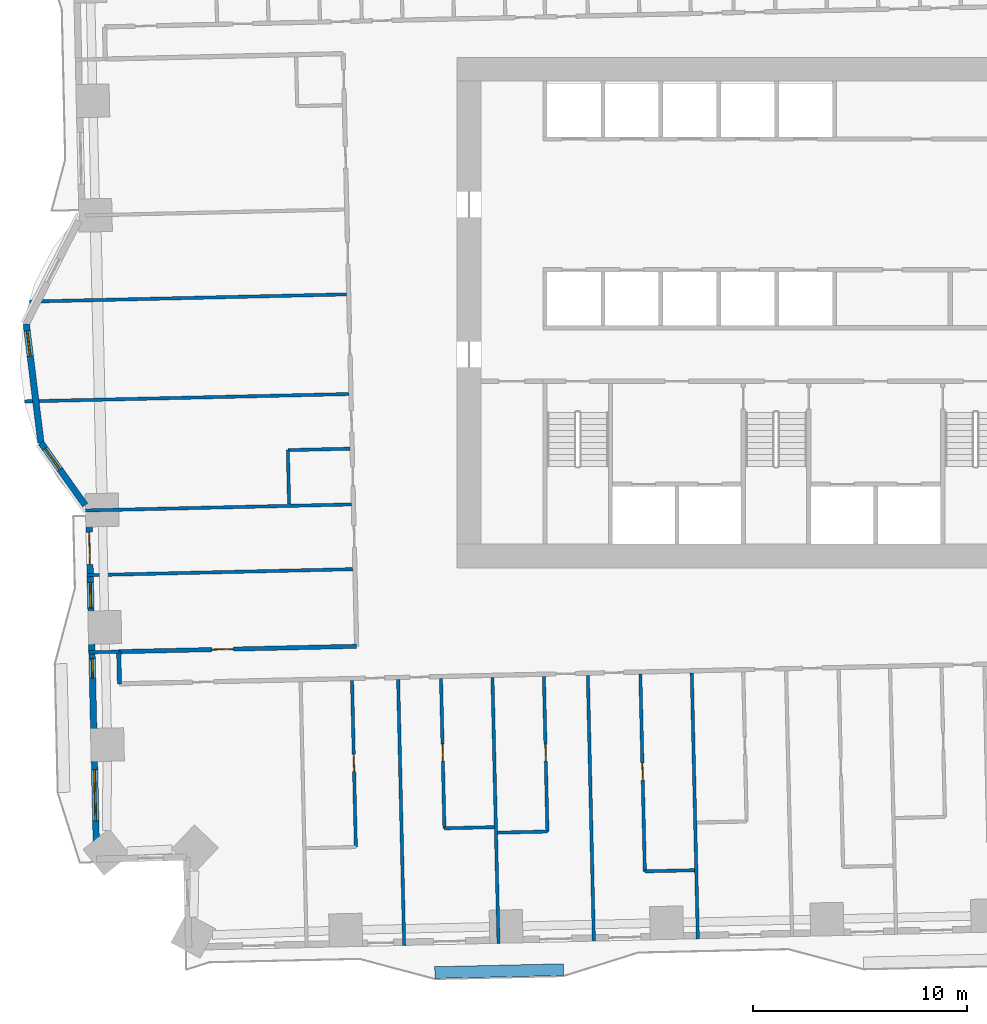
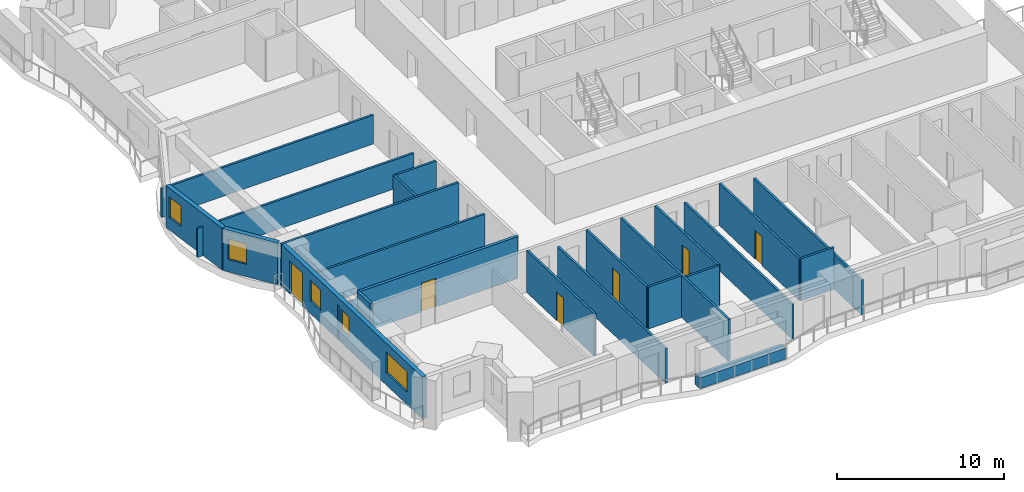
# One storey, part 5 of 16: 24 walls, 6 doors, 5 windows, 11 openings.
"""IFC4 building model written with IfcOpenShell, lengths in metres."""

from ifc_helpers import new_model, si_unit, direction, frame, frame_2d, origin, place, context, subcontext, project, spatial, rectangle, extrude, material, layer, layer_set, type_object, element, fill, save


model = new_model("IFC4")

# Units and contexts
model_context = context("Model", 3, precision=1e-05, world=origin(), true_north=direction((0.0, 1.0)))
body_context = subcontext(model_context, "Body", "Model", "MODEL_VIEW")
ifc_project = project(units=[si_unit("LENGTHUNIT", "METRE"), si_unit("AREAUNIT", "SQUARE_METRE"), si_unit("VOLUMEUNIT", "CUBIC_METRE"), si_unit("PLANEANGLEUNIT", "RADIAN"), si_unit("MASSUNIT", "GRAM", prefix="KILO")], contexts=[model_context])

# Site, building, storey
site_placement = place(None, origin())
site = spatial("IfcSite", under=ifc_project, at=site_placement, CompositionType="ELEMENT")
building_placement = place(site_placement, origin())
building = spatial("IfcBuilding", under=site, at=building_placement, Name="Mangrove Gate Tower", CompositionType="ELEMENT")
storey_placement = place(building_placement, frame((0.0, 0.0, 37.699951171875)))
storey = spatial("IfcBuildingStorey", under=building, at=storey_placement, Name="L08", CompositionType="ELEMENT", Elevation=37.699951171875)

# Wall
ifc_material_1 = material(Name="Gypsum board on steel stud, EI 60", Category="steel")
ifc_layer_1 = layer(ifc_material_1, 0.199951171875)
ifc_layer_set_1 = layer_set([ifc_layer_1], Name="Corridor wall EI 60")
wall_type_1 = type_object("IfcWallType", Name="Corridor wall EI 60", PredefinedType="PARTITIONING", material=ifc_layer_set_1)
wall_1_placement = place(storey_placement, frame((-30.652099609375, -17.31298828125, 0.0), z_axis=(0.0, 0.0, 1.0), x_axis=(-0.022632637625, 0.99974384905, 0.0)))
element("IfcWall", 1, at=wall_1_placement, inside=storey, type_object=wall_type_1, Name="WALL-L08-032", PredefinedType="PARTITIONING", context=body_context, shape_type="SweptSolid", body=[
    extrude(rectangle(XDim=1.49951171875, YDim=0.199951171875, at=frame_2d((0.749755859375, 0.0))), origin(), (0.0, 0.0, 1.0), 3.050048828125),
])

# Wall, opening, door
wall_2_placement = place(storey_placement, frame((-30.68603515625, -15.81396484375, 0.0), z_axis=(0.0, 0.0, 1.0), x_axis=(0.999742346277, 0.022698921993, 0.0)))
wall_2 = element("IfcWall", 2, at=wall_2_placement, inside=storey, type_object=wall_type_1, Name="WALL-L08-035", PredefinedType="PARTITIONING", context=body_context, shape_type="SweptSolid", body=[
    extrude(rectangle(XDim=11.099853515625, YDim=0.199951171875, at=frame_2d((5.5498046875, 0.0))), origin(), (0.0, 0.0, 1.0), 3.050048828125),
])
opening_1_placement = place(wall_2_placement, frame((4.35009765625, 0.0, 0.0)))
opening_1 = element("IfcOpeningElement", 3, at=opening_1_placement, cuts=wall_2, Name="Opening AD", PredefinedType="OPENING", context=body_context, shape_type="SweptSolid", body=[
    extrude(rectangle(XDim=1.0, YDim=2.10009765625, at=frame_2d((0.5, 1.050048828125))), frame((0.0, 0.10986328125, 0.0), z_axis=(0.0, -1.0, 0.0), x_axis=(1.0, 0.0, 0.0)), (0.0, 0.0, 1.0), 0.219970703125),
])
ifc_material_2 = material(Name="Timber door leaf", Category="wood")
door_type_1 = type_object("IfcDoorType", Name="Amenity door 1000", OperationType="SINGLE_SWING_LEFT", PredefinedType="DOOR", material=ifc_material_2)
door_1_placement = place(opening_1_placement, origin())
door_1 = element("IfcDoor", 4, at=door_1_placement, inside=storey, type_object=door_type_1, Name="DOOR-L08-KIT-c5b", OperationType="SINGLE_SWING_RIGHT", OverallHeight=2.10009765625, OverallWidth=1.0, PredefinedType="DOOR", context=body_context, shape_type="SweptSolid", body=[
    extrude(rectangle(XDim=1.0, YDim=2.10009765625, at=frame_2d((0.5, 1.050048828125))), frame((0.0, 0.02490234375, 0.0), z_axis=(0.0, -1.0, 0.0), x_axis=(1.0, 0.0, 0.0)), (0.0, 0.0, 1.0), 0.050048828125),
])
fill(opening_1, door_1)

# Wall, opening, window
ifc_material_3 = material(Name="Limestone", Category="masonry")
ifc_layer_2 = layer(ifc_material_3, 0.0400390625, Name="Limestone cladding")
ifc_material_4 = material(Name="Ventilated air gap")
ifc_layer_3 = layer(ifc_material_4, 0.0400390625, Name="Ventilated cavity")
ifc_material_5 = material(Name="Mineral wool insulation")
ifc_layer_4 = layer(ifc_material_5, 0.06005859375, Name="Insulation")
ifc_material_6 = material(Name="Breather membrane")
ifc_layer_5 = layer(ifc_material_6, 0.001953125, Name="Breather membrane")
ifc_material_7 = material(Name="Concrete C20/25 blockwork", Category="masonry")
ifc_layer_6 = layer(ifc_material_7, 0.14990234375, Name="Blockwork backing wall")
ifc_material_8 = material(Name="Gypsum plaster")
ifc_layer_7 = layer(ifc_material_8, 0.008056640625, Name="Internal plaster")
ifc_layer_set_2 = layer_set([ifc_layer_2, ifc_layer_3, ifc_layer_4, ifc_layer_5, ifc_layer_6, ifc_layer_7], Name="External wall 300 limestone cladding")
wall_type_2 = type_object("IfcWallType", Name="External wall 300 limestone cladding", PredefinedType="SOLIDWALL", material=ifc_layer_set_2)
wall_3_placement = place(storey_placement, frame((-34.99609375, -0.533935546875, 0.0), z_axis=(0.0, 0.0, 1.0), x_axis=(0.122206978992, -0.992504636909, 0.0)))
wall_3 = element("IfcWall", 5, at=wall_3_placement, inside=storey, type_object=wall_type_2, Name="WALL-L08-W9f2", PredefinedType="SOLIDWALL", context=body_context, shape_type="SweptSolid", body=[
    extrude(rectangle(XDim=5.57373046875, YDim=0.300048828125, at=frame_2d((2.786865234375, 0.0))), origin(), (0.0, 0.0, 1.0), 3.050048828125),
])
opening_2_placement = place(wall_3_placement, frame((0.31494140625, 0.0, 0.89990234375)))
opening_2 = element("IfcOpeningElement", 6, at=opening_2_placement, cuts=wall_3, Name="Opening W1", PredefinedType="OPENING", context=body_context, shape_type="SweptSolid", body=[
    extrude(rectangle(XDim=1.199951171875, YDim=1.5, at=frame_2d((0.60009765625, 0.75))), frame((0.0, 0.159912109375, 0.0), z_axis=(0.0, -1.0, 0.0), x_axis=(1.0, 0.0, 0.0)), (0.0, 0.0, 1.0), 0.320068359375),
])
ifc_material_9 = material(Name="Aluminium frame with double-glazed low-e glass", Category="aluminium")
window_type_1 = type_object("IfcWindowType", Name="Side lite 1200x1500", PartitioningType="SINGLE_PANEL", PredefinedType="WINDOW", material=ifc_material_9)
window_1_placement = place(opening_2_placement, origin())
window_1 = element("IfcWindow", 7, at=window_1_placement, inside=storey, type_object=window_type_1, Name="WIN-L08-W9f2", OverallHeight=1.5, OverallWidth=1.199951171875, PartitioningType="SINGLE_PANEL", PredefinedType="WINDOW", context=body_context, shape_type="SweptSolid", body=[
    extrude(rectangle(XDim=1.199951171875, YDim=1.5, at=frame_2d((0.60009765625, 0.75))), frame((0.0, 0.030029296875, 0.0), z_axis=(0.0, -1.0, 0.0), x_axis=(1.0, 0.0, 0.0)), (0.0, 0.0, 1.0), 0.06005859375),
])
fill(opening_2, window_1)

wall_4_placement = place(storey_placement, frame((-34.31494140625, -6.06591796875, 0.0), z_axis=(0.0, 0.0, 1.0), x_axis=(0.578062893695, -0.815992212544, 0.0)))
wall_4 = element("IfcWall", 8, at=wall_4_placement, inside=storey, type_object=wall_type_2, Name="WALL-L08-W9f3", PredefinedType="SOLIDWALL", context=body_context, shape_type="SweptSolid", body=[
    extrude(rectangle(XDim=3.56884765625, YDim=0.300048828125, at=frame_2d((1.784423828125, 0.0))), origin(), (0.0, 0.0, 1.0), 3.050048828125),
])
opening_3_placement = place(wall_4_placement, frame((0.337890625, 0.0, 0.89990234375)))
opening_3 = element("IfcOpeningElement", 9, at=opening_3_placement, cuts=wall_4, Name="Opening W1", PredefinedType="OPENING", context=body_context, shape_type="SweptSolid", body=[
    extrude(rectangle(XDim=1.199951171875, YDim=1.5, at=frame_2d((0.60009765625, 0.75))), frame((0.0, 0.159912109375, 0.0), z_axis=(0.0, -1.0, 0.0), x_axis=(1.0, 0.0, 0.0)), (0.0, 0.0, 1.0), 0.320068359375),
])
window_2_placement = place(opening_3_placement, origin())
window_2 = element("IfcWindow", 10, at=window_2_placement, inside=storey, type_object=window_type_1, Name="WIN-L08-W9f3", OverallHeight=1.5, OverallWidth=1.199951171875, PartitioningType="SINGLE_PANEL", PredefinedType="WINDOW", context=body_context, shape_type="SweptSolid", body=[
    extrude(rectangle(XDim=1.199951171875, YDim=1.5, at=frame_2d((0.60009765625, 0.75))), frame((0.0, 0.030029296875, 0.0), z_axis=(0.0, -1.0, 0.0), x_axis=(1.0, 0.0, 0.0)), (0.0, 0.0, 1.0), 0.06005859375),
])
fill(opening_3, window_2)

# Wall, openings, door, windows
wall_5_placement = place(storey_placement, frame((-32.0869140625, -9.1640625, 0.0), z_axis=(0.0, 0.0, 1.0), x_axis=(0.022651102902, -0.999743430855, 0.0)))
wall_5 = element("IfcWall", 11, at=wall_5_placement, inside=storey, type_object=wall_type_2, Name="WALL-L08-W10", PredefinedType="SOLIDWALL", context=body_context, shape_type="SweptSolid", body=[
    extrude(rectangle(XDim=16.3291015625, YDim=0.300048828125, at=frame_2d((8.16455078125, 0.0))), origin(), (0.0, 0.0, 1.0), 3.050048828125),
])
opening_4_placement = place(wall_5_placement, frame((1.0791015625, 0.0, 0.0)))
opening_4 = element("IfcOpeningElement", 12, at=opening_4_placement, cuts=wall_5, Name="Opening BD1", PredefinedType="OPENING", context=body_context, shape_type="SweptSolid", body=[
    extrude(rectangle(XDim=1.5, YDim=2.39990234375, at=frame_2d((0.75, 1.199951171875))), frame((0.0, 0.159912109375, 0.0), z_axis=(0.0, -1.0, 0.0), x_axis=(1.0, 0.0, 0.0)), (0.0, 0.0, 1.0), 0.320068359375),
])
opening_5_placement = place(wall_5_placement, frame((3.4169921875, 0.0, 0.89990234375)))
opening_5 = element("IfcOpeningElement", 13, at=opening_5_placement, cuts=wall_5, Name="Opening W1", PredefinedType="OPENING", context=body_context, shape_type="SweptSolid", body=[
    extrude(rectangle(XDim=1.199951171875, YDim=1.5, at=frame_2d((0.60009765625, 0.75))), frame((0.0, 0.159912109375, 0.0), z_axis=(0.0, -1.0, 0.0), x_axis=(1.0, 0.0, 0.0)), (0.0, 0.0, 1.0), 0.320068359375),
])
opening_6_placement = place(wall_5_placement, frame((6.97900390625, 0.0, 0.89990234375)))
opening_6 = element("IfcOpeningElement", 14, at=opening_6_placement, cuts=wall_5, Name="Opening W5", PredefinedType="OPENING", context=body_context, shape_type="SweptSolid", body=[
    extrude(rectangle(XDim=0.89990234375, YDim=1.5, at=frame_2d((0.449951171875, 0.75))), frame((0.0, 0.159912109375, 0.0), z_axis=(0.0, -1.0, 0.0), x_axis=(1.0, 0.0, 0.0)), (0.0, 0.0, 1.0), 0.320068359375),
])
opening_7_placement = place(wall_5_placement, frame((12.14990234375, 0.0, 0.89990234375)))
opening_7 = element("IfcOpeningElement", 15, at=opening_7_placement, cuts=wall_5, Name="Opening W2", PredefinedType="OPENING", context=body_context, shape_type="SweptSolid", body=[
    extrude(rectangle(XDim=2.39990234375, YDim=1.5, at=frame_2d((1.199951171875, 0.75))), frame((0.0, 0.159912109375, 0.0), z_axis=(0.0, -1.0, 0.0), x_axis=(1.0, 0.0, 0.0)), (0.0, 0.0, 1.0), 0.320068359375),
])
ifc_material_10 = material(Name="Aluminium frame with laminated clear glass", Category="aluminium")
door_type_2 = type_object("IfcDoorType", Name="Balcony sliding door 1500x2400", OperationType="SLIDING_TO_LEFT", PredefinedType="DOOR", material=ifc_material_10)
door_2_placement = place(opening_4_placement, origin())
door_2 = element("IfcDoor", 16, at=door_2_placement, inside=storey, type_object=door_type_2, Name="DOOR-L08-W10-1", OperationType="SLIDING_TO_LEFT", OverallHeight=2.39990234375, OverallWidth=1.5, PredefinedType="DOOR", context=body_context, shape_type="SweptSolid", body=[
    extrude(rectangle(XDim=1.5, YDim=2.39990234375, at=frame_2d((0.75, 1.199951171875))), frame((0.0, 0.02490234375, 0.0), z_axis=(0.0, -1.0, 0.0), x_axis=(1.0, 0.0, 0.0)), (0.0, 0.0, 1.0), 0.050048828125),
])
fill(opening_4, door_2)
ifc_material_11 = material(Name="Aluminium frame with double-glazed low-e glass", Category="aluminium")
window_type_2 = type_object("IfcWindowType", Name="Corner room window 2400x1500", PartitioningType="DOUBLE_PANEL_VERTICAL", PredefinedType="WINDOW", material=ifc_material_11)
window_3_placement = place(opening_7_placement, origin())
window_3 = element("IfcWindow", 17, at=window_3_placement, inside=storey, type_object=window_type_2, Name="WIN-L08-W10-4", OverallHeight=1.5, OverallWidth=2.39990234375, PartitioningType="DOUBLE_PANEL_VERTICAL", PredefinedType="WINDOW", context=body_context, shape_type="SweptSolid", body=[
    extrude(rectangle(XDim=2.39990234375, YDim=1.5, at=frame_2d((1.199951171875, 0.75))), frame((0.0, 0.030029296875, 0.0), z_axis=(0.0, -1.0, 0.0), x_axis=(1.0, 0.0, 0.0)), (0.0, 0.0, 1.0), 0.06005859375),
])
fill(opening_7, window_3)
ifc_material_12 = material(Name="Aluminium frame with double-glazed low-e glass", Category="aluminium")
window_type_3 = type_object("IfcWindowType", Name="Narrow window 900x1500", PartitioningType="SINGLE_PANEL", PredefinedType="WINDOW", material=ifc_material_12)
window_4_placement = place(opening_6_placement, origin())
window_4 = element("IfcWindow", 18, at=window_4_placement, inside=storey, type_object=window_type_3, Name="WIN-L08-W10-3", OverallHeight=1.5, OverallWidth=0.89990234375, PartitioningType="SINGLE_PANEL", PredefinedType="WINDOW", context=body_context, shape_type="SweptSolid", body=[
    extrude(rectangle(XDim=0.89990234375, YDim=1.5, at=frame_2d((0.449951171875, 0.75))), frame((0.0, 0.030029296875, 0.0), z_axis=(0.0, -1.0, 0.0), x_axis=(1.0, 0.0, 0.0)), (0.0, 0.0, 1.0), 0.06005859375),
])
fill(opening_6, window_4)
window_5_placement = place(opening_5_placement, origin())
window_5 = element("IfcWindow", 19, at=window_5_placement, inside=storey, type_object=window_type_1, Name="WIN-L08-W10-2", OverallHeight=1.5, OverallWidth=1.199951171875, PartitioningType="SINGLE_PANEL", PredefinedType="WINDOW", context=body_context, shape_type="SweptSolid", body=[
    extrude(rectangle(XDim=1.199951171875, YDim=1.5, at=frame_2d((0.60009765625, 0.75))), frame((0.0, 0.030029296875, 0.0), z_axis=(0.0, -1.0, 0.0), x_axis=(1.0, 0.0, 0.0)), (0.0, 0.0, 1.0), 0.06005859375),
])
fill(opening_5, window_5)

# Walls
ifc_material_13 = material(Name="Gypsum board on steel stud, EI 60", Category="steel")
ifc_layer_8 = layer(ifc_material_13, 0.14990234375)
ifc_layer_set_3 = layer_set([ifc_layer_8], Name="Party wall 150 EI 60")
wall_type_3 = type_object("IfcWallType", Name="Party wall 150 EI 60", PredefinedType="PARTITIONING", material=ifc_layer_set_3)
wall_6_placement = place(storey_placement, frame((-17.3720703125, -29.514892578125, 0.0), z_axis=(0.0, 0.0, 1.0), x_axis=(-0.022661475803, 0.999743195783, 0.0)))
element("IfcWall", 20, at=wall_6_placement, inside=storey, type_object=wall_type_3, Name="WALL-L08-002", PredefinedType="PARTITIONING", context=body_context, shape_type="SweptSolid", body=[
    extrude(rectangle(XDim=12.400146484375, YDim=0.14990234375, at=frame_2d((6.2001953125, 0.0))), origin(), (0.0, 0.0, 1.0), 2.550048828125),
])
wall_7_placement = place(storey_placement, frame((-12.972900390625, -29.4150390625, 0.0), z_axis=(0.0, 0.0, 1.0), x_axis=(-0.022661475803, 0.999743195783, 0.0)))
element("IfcWall", 21, at=wall_7_placement, inside=storey, type_object=wall_type_3, Name="WALL-L08-003", PredefinedType="PARTITIONING", context=body_context, shape_type="SweptSolid", body=[
    extrude(rectangle(XDim=12.400146484375, YDim=0.14990234375, at=frame_2d((6.2001953125, 0.0))), origin(), (0.0, 0.0, 1.0), 3.050048828125),
])
wall_8_placement = place(storey_placement, frame((-8.52392578125, -29.31396484375, 0.0), z_axis=(0.0, 0.0, 1.0), x_axis=(-0.022661475803, 0.999743195783, 0.0)))
element("IfcWall", 22, at=wall_8_placement, inside=storey, type_object=wall_type_3, Name="WALL-L08-004", PredefinedType="PARTITIONING", context=body_context, shape_type="SweptSolid", body=[
    extrude(rectangle(XDim=12.400146484375, YDim=0.14990234375, at=frame_2d((6.2001953125, 0.0))), origin(), (0.0, 0.0, 1.0), 2.550048828125),
])
wall_9_placement = place(storey_placement, frame((-3.675048828125, -29.2041015625, 0.0), z_axis=(0.0, 0.0, 1.0), x_axis=(-0.022739741597, 0.999741418644, 0.0)))
element("IfcWall", 23, at=wall_9_placement, inside=storey, type_object=wall_type_3, Name="WALL-L08-005", PredefinedType="PARTITIONING", context=body_context, shape_type="SweptSolid", body=[
    extrude(rectangle(XDim=12.400390625, YDim=0.14990234375, at=frame_2d((6.2001953125, 0.0))), origin(), (0.0, 0.0, 1.0), 2.550048828125),
])
wall_10_placement = place(storey_placement, frame((-6.14697265625, -26.05908203125, 0.0), z_axis=(0.0, 0.0, 1.0), x_axis=(0.999749744571, 0.022370700241, 0.0)))
element("IfcWall", 24, at=wall_10_placement, inside=storey, type_object=wall_type_3, Name="WALL-L08-011", PredefinedType="PARTITIONING", context=body_context, shape_type="SweptSolid", body=[
    extrude(rectangle(XDim=2.324462890625, YDim=0.14990234375, at=frame_2d((1.162109375, 0.0))), origin(), (0.0, 0.0, 1.0), 3.050048828125),
])

# Wall, opening, door
wall_11_placement = place(storey_placement, frame((-6.14697265625, -26.05908203125, 0.0), z_axis=(0.0, 0.0, 1.0), x_axis=(-0.022717185456, 0.999741931443, 0.0)))
wall_11 = element("IfcWall", 25, at=wall_11_placement, inside=storey, type_object=wall_type_3, Name="WALL-L08-012", PredefinedType="PARTITIONING", context=body_context, shape_type="SweptSolid", body=[
    extrude(rectangle(XDim=9.199462890625, YDim=0.14990234375, at=frame_2d((4.599609375, 0.0))), origin(), (0.0, 0.0, 1.0), 3.050048828125),
])
opening_8_placement = place(wall_11_placement, frame((4.25, 0.0, 0.0)))
opening_8 = element("IfcOpeningElement", 26, at=opening_8_placement, cuts=wall_11, Name="Opening ED", PredefinedType="OPENING", context=body_context, shape_type="SweptSolid", body=[
    extrude(rectangle(XDim=0.800048828125, YDim=2.10009765625, at=frame_2d((0.39990234375, 1.050048828125))), frame((0.0, 0.0849609375, 0.0), z_axis=(0.0, -1.0, 0.0), x_axis=(1.0, 0.0, 0.0)), (0.0, 0.0, 1.0), 0.169921875),
])
ifc_material_14 = material(Name="Timber door leaf", Category="wood")
door_type_3 = type_object("IfcDoorType", Name="En-suite door 800", OperationType="SINGLE_SWING_LEFT", PredefinedType="DOOR", material=ifc_material_14)
door_3_placement = place(opening_8_placement, origin())
door_3 = element("IfcDoor", 27, at=door_3_placement, inside=storey, type_object=door_type_3, Name="DOOR-L08-ENS-c104", OperationType="SINGLE_SWING_RIGHT", OverallHeight=2.10009765625, OverallWidth=0.800048828125, PredefinedType="DOOR", context=body_context, shape_type="SweptSolid", body=[
    extrude(rectangle(XDim=0.800048828125, YDim=2.10009765625, at=frame_2d((0.39990234375, 1.050048828125))), frame((0.0, 0.02490234375, 0.0), z_axis=(0.0, -1.0, 0.0), x_axis=(1.0, 0.0, 0.0)), (0.0, 0.0, 1.0), 0.050048828125),
])
fill(opening_8, door_3)

wall_12_placement = place(storey_placement, frame((-19.626953125, -24.925048828125, 0.0), z_axis=(0.0, 0.0, 1.0), x_axis=(-0.022683528451, 0.999742695666, 0.0)))
wall_12 = element("IfcWall", 28, at=wall_12_placement, inside=storey, type_object=wall_type_3, Name="WALL-L08-018", PredefinedType="PARTITIONING", context=body_context, shape_type="SweptSolid", body=[
    extrude(rectangle(XDim=7.760009765625, YDim=0.14990234375, at=frame_2d((3.8798828125, 0.0))), origin(), (0.0, 0.0, 1.0), 3.050048828125),
])
opening_9_placement = place(wall_12_placement, frame((3.530029296875, 0.0, 0.0)))
opening_9 = element("IfcOpeningElement", 29, at=opening_9_placement, cuts=wall_12, Name="Opening ED", PredefinedType="OPENING", context=body_context, shape_type="SweptSolid", body=[
    extrude(rectangle(XDim=0.800048828125, YDim=2.10009765625, at=frame_2d((0.39990234375, 1.050048828125))), frame((0.0, 0.0849609375, 0.0), z_axis=(0.0, -1.0, 0.0), x_axis=(1.0, 0.0, 0.0)), (0.0, 0.0, 1.0), 0.169921875),
])
door_4_placement = place(opening_9_placement, origin())
door_4 = element("IfcDoor", 30, at=door_4_placement, inside=storey, type_object=door_type_3, Name="DOOR-L08-ENS-c101", OperationType="SINGLE_SWING_LEFT", OverallHeight=2.10009765625, OverallWidth=0.800048828125, PredefinedType="DOOR", context=body_context, shape_type="SweptSolid", body=[
    extrude(rectangle(XDim=0.800048828125, YDim=2.10009765625, at=frame_2d((0.39990234375, 1.050048828125))), frame((0.0, 0.02490234375, 0.0), z_axis=(0.0, -1.0, 0.0), x_axis=(1.0, 0.0, 0.0)), (0.0, 0.0, 1.0), 0.050048828125),
])
fill(opening_9, door_4)

# Wall
wall_13_placement = place(storey_placement, frame((-13.014892578125, -24.2548828125, 0.0), z_axis=(0.0, 0.0, 1.0), x_axis=(0.999740260747, 0.02279059109, 0.0)))
element("IfcWall", 31, at=wall_13_placement, inside=storey, type_object=wall_type_3, Name="WALL-L08-019", PredefinedType="PARTITIONING", context=body_context, shape_type="SweptSolid", body=[
    extrude(rectangle(XDim=2.324462890625, YDim=0.14990234375, at=frame_2d((1.162109375, 0.0))), origin(), (0.0, 0.0, 1.0), 3.050048828125),
])

# Wall, opening, door
wall_14_placement = place(storey_placement, frame((-10.69091796875, -24.201904296875, 0.0), z_axis=(0.0, 0.0, 1.0), x_axis=(-0.022661655024, 0.999743191721, 0.0)))
wall_14 = element("IfcWall", 32, at=wall_14_placement, inside=storey, type_object=wall_type_3, Name="WALL-L08-020", PredefinedType="PARTITIONING", context=body_context, shape_type="SweptSolid", body=[
    extrude(rectangle(XDim=7.23974609375, YDim=0.14990234375, at=frame_2d((3.619873046875, 0.0))), origin(), (0.0, 0.0, 1.0), 3.050048828125),
])
opening_10_placement = place(wall_14_placement, frame((3.27001953125, 0.0, 0.0)))
opening_10 = element("IfcOpeningElement", 33, at=opening_10_placement, cuts=wall_14, Name="Opening ED", PredefinedType="OPENING", context=body_context, shape_type="SweptSolid", body=[
    extrude(rectangle(XDim=0.800048828125, YDim=2.10009765625, at=frame_2d((0.39990234375, 1.050048828125))), frame((0.0, 0.0849609375, 0.0), z_axis=(0.0, -1.0, 0.0), x_axis=(1.0, 0.0, 0.0)), (0.0, 0.0, 1.0), 0.169921875),
])
door_5_placement = place(opening_10_placement, origin())
door_5 = element("IfcDoor", 34, at=door_5_placement, inside=storey, type_object=door_type_3, Name="DOOR-L08-ENS-c103", OperationType="SINGLE_SWING_LEFT", OverallHeight=2.10009765625, OverallWidth=0.800048828125, PredefinedType="DOOR", context=body_context, shape_type="SweptSolid", body=[
    extrude(rectangle(XDim=0.800048828125, YDim=2.10009765625, at=frame_2d((0.39990234375, 1.050048828125))), frame((0.0, 0.02490234375, 0.0), z_axis=(0.0, -1.0, 0.0), x_axis=(1.0, 0.0, 0.0)), (0.0, 0.0, 1.0), 0.050048828125),
])
fill(opening_10, door_5)

# Wall
wall_15_placement = place(storey_placement, frame((-15.4951171875, -24.051025390625, 0.0), z_axis=(0.0, 0.0, 1.0), x_axis=(0.99974031529, 0.022788198363, 0.0)))
element("IfcWall", 35, at=wall_15_placement, inside=storey, type_object=wall_type_3, Name="WALL-L08-021", PredefinedType="PARTITIONING", context=body_context, shape_type="SweptSolid", body=[
    extrude(rectangle(XDim=2.32470703125, YDim=0.14990234375, at=frame_2d((1.162353515625, 0.0))), origin(), (0.0, 0.0, 1.0), 3.050048828125),
])

# Wall, opening, door
wall_16_placement = place(storey_placement, frame((-15.4951171875, -24.051025390625, 0.0), z_axis=(0.0, 0.0, 1.0), x_axis=(-0.022770667039, 0.999740714747, 0.0)))
wall_16 = element("IfcWall", 36, at=wall_16_placement, inside=storey, type_object=wall_type_3, Name="WALL-L08-022", PredefinedType="PARTITIONING", context=body_context, shape_type="SweptSolid", body=[
    extrude(rectangle(XDim=6.979736328125, YDim=0.14990234375, at=frame_2d((3.48974609375, 0.0))), origin(), (0.0, 0.0, 1.0), 3.050048828125),
])
opening_11_placement = place(wall_16_placement, frame((3.139892578125, 0.0, 0.0)))
opening_11 = element("IfcOpeningElement", 37, at=opening_11_placement, cuts=wall_16, Name="Opening ED", PredefinedType="OPENING", context=body_context, shape_type="SweptSolid", body=[
    extrude(rectangle(XDim=0.800048828125, YDim=2.10009765625, at=frame_2d((0.39990234375, 1.050048828125))), frame((0.0, 0.0849609375, 0.0), z_axis=(0.0, -1.0, 0.0), x_axis=(1.0, 0.0, 0.0)), (0.0, 0.0, 1.0), 0.169921875),
])
door_6_placement = place(opening_11_placement, origin())
door_6 = element("IfcDoor", 38, at=door_6_placement, inside=storey, type_object=door_type_3, Name="DOOR-L08-ENS-c102", OperationType="SINGLE_SWING_RIGHT", OverallHeight=2.10009765625, OverallWidth=0.800048828125, PredefinedType="DOOR", context=body_context, shape_type="SweptSolid", body=[
    extrude(rectangle(XDim=0.800048828125, YDim=2.10009765625, at=frame_2d((0.39990234375, 1.050048828125))), frame((0.0, 0.02490234375, 0.0), z_axis=(0.0, -1.0, 0.0), x_axis=(1.0, 0.0, 0.0)), (0.0, 0.0, 1.0), 0.050048828125),
])
fill(opening_11, door_6)

# Walls
wall_17_placement = place(storey_placement, frame((-32.0859375, -15.844970703125, 0.0), z_axis=(0.0, 0.0, 1.0), x_axis=(0.999740667531, 0.022772739949, 0.0)))
element("IfcWall", 39, at=wall_17_placement, inside=storey, type_object=wall_type_3, Name="WALL-L08-034", PredefinedType="PARTITIONING", context=body_context, shape_type="SweptSolid", body=[
    extrude(rectangle(XDim=1.404296875, YDim=0.14990234375, at=frame_2d((0.7021484375, 0.0))), origin(), (0.0, 0.0, 1.0), 2.550048828125),
])
wall_18_placement = place(storey_placement, frame((-32.1669921875, -12.24609375, 0.0), z_axis=(0.0, 0.0, 1.0), x_axis=(0.999743155335, 0.022663260168, 0.0)))
element("IfcWall", 40, at=wall_18_placement, inside=storey, type_object=wall_type_3, Name="WALL-L08-040", PredefinedType="PARTITIONING", context=body_context, shape_type="SweptSolid", body=[
    extrude(rectangle(XDim=12.399169921875, YDim=0.14990234375, at=frame_2d((6.19970703125, 0.0))), origin(), (0.0, 0.0, 1.0), 2.550048828125),
])
wall_19_placement = place(storey_placement, frame((-32.236083984375, -9.22705078125, 0.0), z_axis=(0.0, 0.0, 1.0), x_axis=(0.999743195783, 0.022661475803, 0.0)))
element("IfcWall", 41, at=wall_19_placement, inside=storey, type_object=wall_type_3, Name="WALL-L08-041", PredefinedType="PARTITIONING", context=body_context, shape_type="SweptSolid", body=[
    extrude(rectangle(XDim=12.400146484375, YDim=0.14990234375, at=frame_2d((6.2001953125, 0.0))), origin(), (0.0, 0.0, 1.0), 3.050048828125),
])
wall_20_placement = place(storey_placement, frame((-22.739990234375, -8.930908203125, 0.0), z_axis=(0.0, 0.0, 1.0), x_axis=(-0.023015762656, 0.999735102249, 0.0)))
element("IfcWall", 42, at=wall_20_placement, inside=storey, type_object=wall_type_3, Name="WALL-L08-042", PredefinedType="PARTITIONING", context=body_context, shape_type="SweptSolid", body=[
    extrude(rectangle(XDim=2.524658203125, YDim=0.14990234375, at=frame_2d((1.26220703125, 0.0))), origin(), (0.0, 0.0, 1.0), 3.050048828125),
])
wall_21_placement = place(storey_placement, frame((-22.797119140625, -6.412109375, 0.0), z_axis=(0.0, 0.0, 1.0), x_axis=(0.999739701447, 0.022815112345, 0.0)))
element("IfcWall", 43, at=wall_21_placement, inside=storey, type_object=wall_type_3, Name="WALL-L08-043", PredefinedType="PARTITIONING", context=body_context, shape_type="SweptSolid", body=[
    extrude(rectangle(XDim=2.89990234375, YDim=0.14990234375, at=frame_2d((1.449951171875, 0.0))), origin(), (0.0, 0.0, 1.0), 3.050048828125),
])
wall_22_placement = place(storey_placement, frame((-35.0791015625, -4.139892578125, 0.0), z_axis=(0.0, 0.0, 1.0), x_axis=(0.999743233457, 0.022659813699, 0.0)))
element("IfcWall", 44, at=wall_22_placement, inside=storey, type_object=wall_type_3, Name="WALL-L08-044", PredefinedType="PARTITIONING", context=body_context, shape_type="SweptSolid", body=[
    extrude(rectangle(XDim=15.126953125, YDim=0.14990234375, at=frame_2d((7.5634765625, 0.0))), origin(), (0.0, 0.0, 1.0), 2.10009765625),
])
wall_23_placement = place(storey_placement, frame((-34.85205078125, 0.51611328125, 0.0), z_axis=(0.0, 0.0, 1.0), x_axis=(0.999742142166, 0.022707909997, 0.0)))
element("IfcWall", 45, at=wall_23_placement, inside=storey, type_object=wall_type_3, Name="WALL-L08-045", PredefinedType="PARTITIONING", context=body_context, shape_type="SweptSolid", body=[
    extrude(rectangle(XDim=14.7939453125, YDim=0.14990234375, at=frame_2d((7.39697265625, 0.0))), origin(), (0.0, 0.0, 1.0), 2.10009765625),
])
ifc_material_15 = material(Name="Concrete C32/40", Category="concrete")
ifc_layer_9 = layer(ifc_material_15, 0.199951171875, Name="Planter trough wall")
ifc_material_16 = material(Name="Bituminous waterproofing membrane")
ifc_layer_10 = layer(ifc_material_16, 0.0048828125, Name="Waterproofing")
ifc_material_17 = material(Name="Drainage board and gravel")
ifc_layer_11 = layer(ifc_material_17, 0.044921875, Name="Drainage layer")
ifc_material_18 = material(Name="Planting soil")
ifc_layer_12 = layer(ifc_material_18, 0.300048828125, Name="Growing medium")
ifc_layer_set_4 = layer_set([ifc_layer_9, ifc_layer_10, ifc_layer_11, ifc_layer_12], Name="Planter wall 550 C32/40")
wall_type_4 = type_object("IfcWallType", Name="Planter wall 550 C32/40", PredefinedType="USERDEFINED", material=ifc_layer_set_4)
wall_24_placement = place(storey_placement, frame((-15.943115234375, -30.781982421875, 0.0), z_axis=(0.0, 0.0, 1.0), x_axis=(0.999743094499, 0.022665943652, 0.0)))
element("IfcWall", 46, at=wall_24_placement, inside=storey, type_object=wall_type_4, Name="PLANTER L08 S0.1", ObjectType="PLANTER", PredefinedType="USERDEFINED", context=body_context, shape_type="SweptSolid", body=[
    extrude(rectangle(XDim=5.99951171875, YDim=0.550048828125, at=frame_2d((2.999755859375, 0.0))), origin(), (0.0, 0.0, 1.0), 0.800048828125),
])

save(model, "model.ifc")
